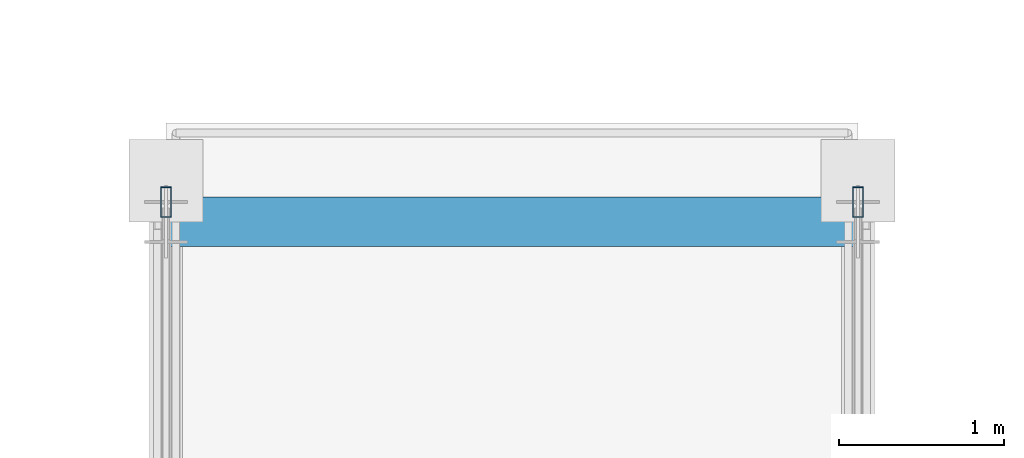
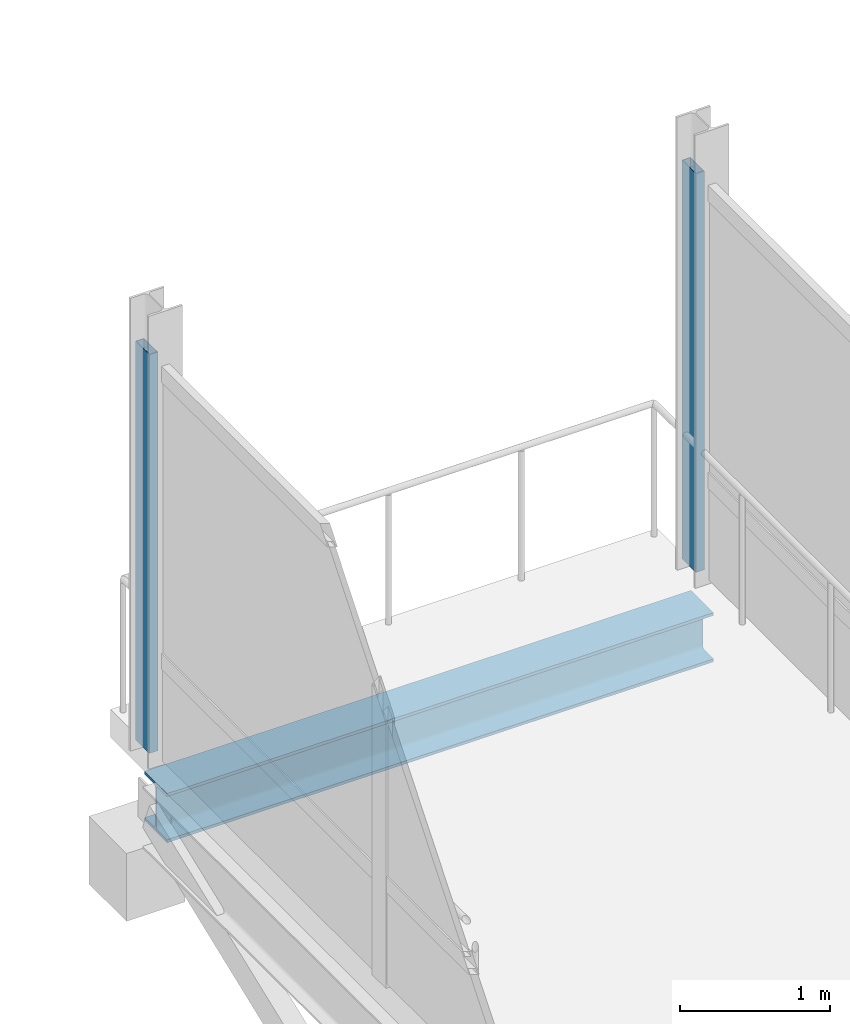
# One storey, part 32 of 128: 2 members, 1 beam, 2 elements without a shape of their own.
"""IFC4 building model written with IfcOpenShell, lengths in metres."""

from ifc_helpers import new_model, si_unit, direction, frame, origin, origin_2d, place, context, subcontext, project, spatial, hollow_rectangle, i_section, extrude, material, material_profile, profile_set, type_object, element, aggregate, save


model = new_model("IFC4")

# Units and contexts
model_context = context("Model", 3, precision=1e-05, world=origin(), true_north=direction((0.0, 1.0)))
body_context = subcontext(model_context, "Body", "Model", "MODEL_VIEW")
ifc_project = project(units=[si_unit("LENGTHUNIT", "METRE"), si_unit("AREAUNIT", "SQUARE_METRE"), si_unit("VOLUMEUNIT", "CUBIC_METRE"), si_unit("PLANEANGLEUNIT", "RADIAN"), si_unit("MASSUNIT", "GRAM", prefix="KILO")], contexts=[model_context])

# Site, building, storey
site_placement = place(None, origin())
site = spatial("IfcSite", under=ifc_project, at=site_placement, CompositionType="ELEMENT")
building_placement = place(site_placement, origin())
building = spatial("IfcBuilding", under=site, at=building_placement, Name="Zornivar Specialist Clinic", CompositionType="ELEMENT")
storey_placement = place(building_placement, frame((0.0, 0.0, 4.5)))
storey = spatial("IfcBuildingStorey", under=building, at=storey_placement, Name="L01", CompositionType="ELEMENT", Elevation=4.5)

# Beam
ifc_material_1 = material(Name="Steel S355J2", Category="steel")
ifc_material_profile_1 = material_profile(ifc_material_1, i_section(OverallWidth=0.300048828125, OverallDepth=0.39990234375, WebThickness=0.013427734375, FlangeThickness=0.02392578125, FilletRadius=0.027099609375, at=origin_2d()), Name="HEB 400")
ifc_profile_set_1 = profile_set([ifc_material_profile_1], Name="Steel S355J2")
beam_type = type_object("IfcBeamType", Name="BM-STL-HEB400", PredefinedType="BEAM", material=ifc_profile_set_1)
beam_placement = place(storey_placement, frame((50.199951171875, 31.800048828125, -0.429931640625), z_axis=(1.0, 0.0, 0.0), x_axis=(0.0, 1.0, 0.0)))
element("IfcBeam", 1, at=beam_placement, inside=storey, type_object=beam_type, Name="bm:BR1:L01:t:318", PredefinedType="BEAM", context=body_context, shape_type="SweptSolid", body=[
    extrude(i_section(OverallWidth=0.300048828125, OverallDepth=0.39990234375, WebThickness=0.013427734375, FlangeThickness=0.02392578125, FilletRadius=0.027099609375, at=origin_2d()), origin(), (0.0, 0.0, 1.0), 4.199951171875),
])

# Curtain wall, member
ifc_material_2 = material(Name="Aluminium and Low-E Glass Curtain Wall", Category="aluminium")
curtain_wall_type = type_object("IfcCurtainWallType", Name="CW-BRIDGE-LINK", PredefinedType="NOTDEFINED", material=ifc_material_2)
curtain_wall_1_placement = place(storey_placement, origin())
curtain_wall_1 = element("IfcCurtainWall", 2, at=curtain_wall_1_placement, inside=storey, type_object=curtain_wall_type, Name="cw:BR1:L01:W:2", PredefinedType="NOTDEFINED")
ifc_material_3 = material(Name="Aluminium AW-6060", Category="aluminium")
ifc_material_profile_2 = material_profile(ifc_material_3, hollow_rectangle(XDim=0.06494140625, YDim=0.18505859375, WallThickness=0.00439453125, at=origin_2d()), Name="ALU 65x185x4.5")
ifc_profile_set_2 = profile_set([ifc_material_profile_2], Name="Aluminium AW-6060")
member_type = type_object("IfcMemberType", Name="CWM-MUL-185", PredefinedType="MULLION", material=ifc_profile_set_2)
member_1_placement = place(storey_placement, frame((50.199951171875, 31.919921875, 0.0), z_axis=(0.0, 0.0, 1.0), x_axis=(1.0, 0.0, 0.0)))
member_1 = element("IfcMember", 3, at=member_1_placement, type_object=member_type, Name="cw:BR1:L01:W:2:mul:3", PredefinedType="MULLION", context=body_context, shape_type="SweptSolid", body=[
    extrude(hollow_rectangle(XDim=0.06494140625, YDim=0.18505859375, WallThickness=0.00439453125, at=origin_2d()), origin(), (0.0, 0.0, 1.0), 3.239990234375),
])
aggregate(curtain_wall_1, [member_1])

curtain_wall_2_placement = place(storey_placement, origin())
curtain_wall_2 = element("IfcCurtainWall", 4, at=curtain_wall_2_placement, inside=storey, type_object=curtain_wall_type, Name="cw:BR1:L01:E:2", PredefinedType="NOTDEFINED")
member_2_placement = place(storey_placement, frame((54.39990234375, 31.919921875, 0.0), z_axis=(0.0, 0.0, 1.0), x_axis=(1.0, 0.0, 0.0)))
member_2 = element("IfcMember", 5, at=member_2_placement, type_object=member_type, Name="cw:BR1:L01:E:2:mul:3", PredefinedType="MULLION", context=body_context, shape_type="SweptSolid", body=[
    extrude(hollow_rectangle(XDim=0.06494140625, YDim=0.18505859375, WallThickness=0.00439453125, at=origin_2d()), origin(), (0.0, 0.0, 1.0), 3.239990234375),
])
aggregate(curtain_wall_2, [member_2])

save(model, "model.ifc")
